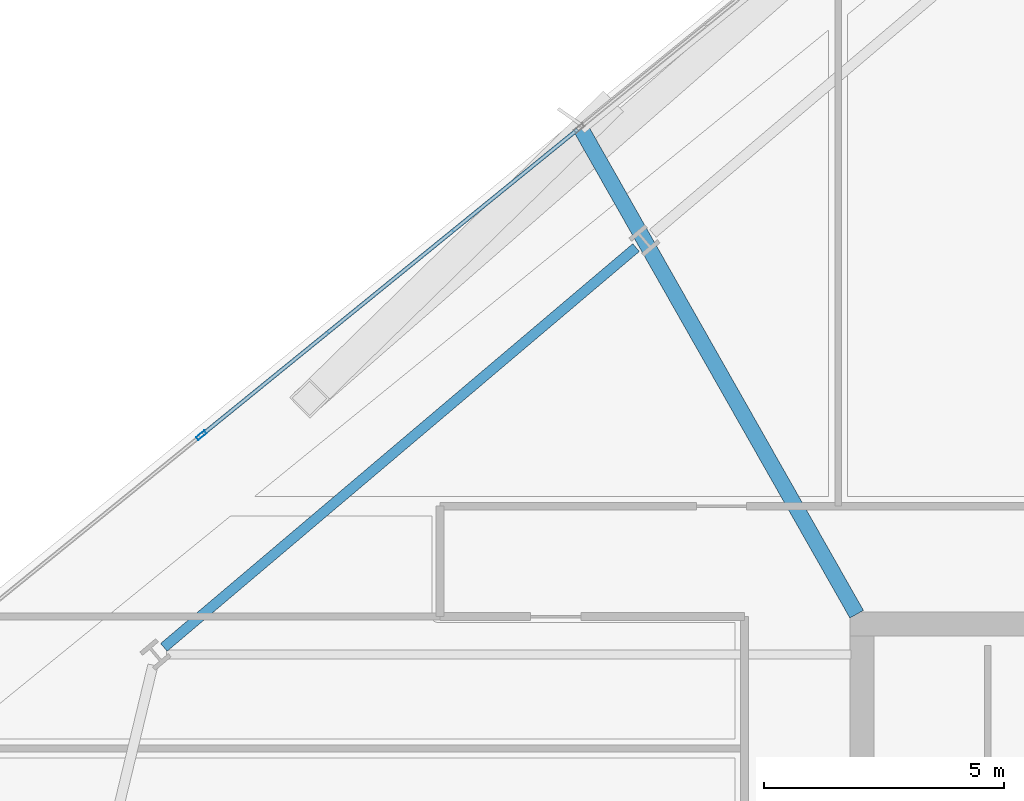
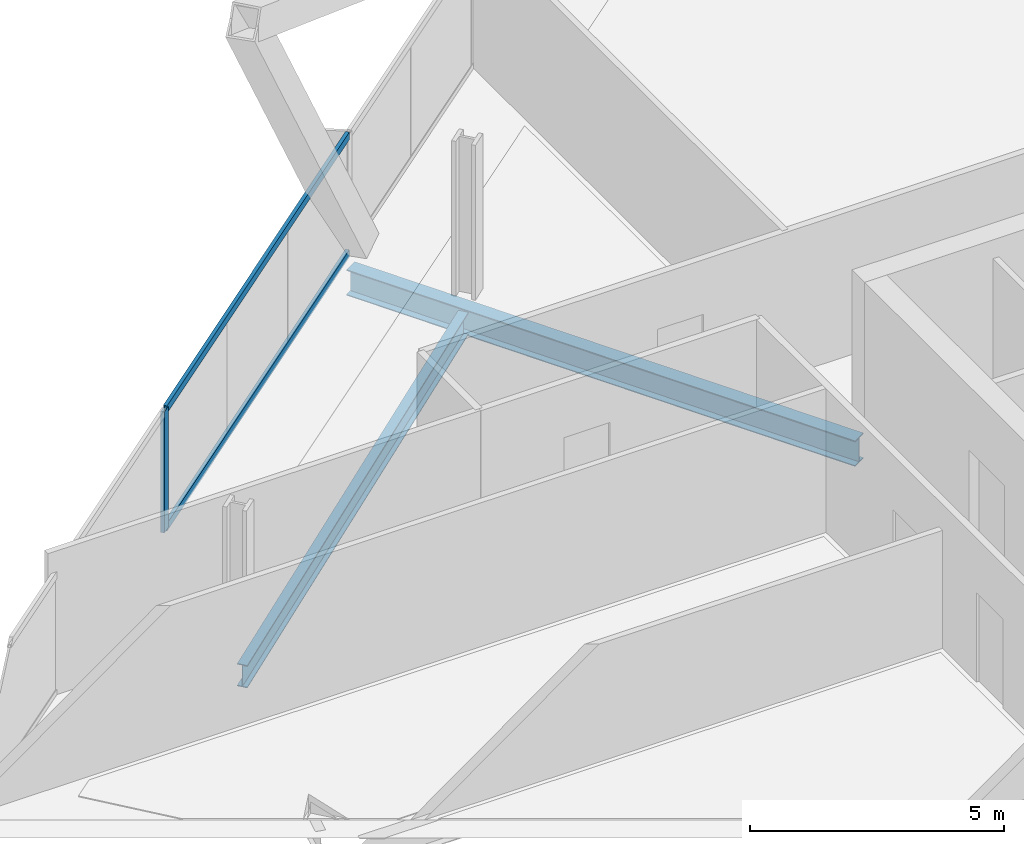
# One storey, part 15 of 36: 3 members, 2 beams, 1 element without a shape of its own.
"""IFC4 building model written with IfcOpenShell, lengths in metres."""

import ifcopenshell
import ifcopenshell.guid

model = None  # the IFC model being written
_history = None  # IfcOwnerHistory: only IFC2X3 demands one
_inside = {}  # id of a spatial element -> (the spatial element, [elements in it])
_under = {}  # id of a project, library or spatial element -> (it, [spatial elements below it])
_declared = {}  # id of a project -> (the project, [libraries it declares])
_typed = {}  # id of a type object -> (the type object, [elements of that type])
_made_of = {}  # id of a material, layer set ... -> (it, [elements and type objects made of it])


def new_model(schema):
    """Start an empty IFC model of exactly this schema.

    Asked for "IFC4X3", IfcOpenShell would pick the latest addendum, in which some entities
    have other attributes; the version numbers below select the first issue.
    IFC2X3 requires an IfcOwnerHistory on every rooted entity: one is made here for all.
    """
    global model, _history
    if schema == "IFC4X3":
        model = ifcopenshell.file(schema_version=(4, 3, 0, 0))
    else:
        model = ifcopenshell.file(schema=schema)
    _inside.clear()
    _under.clear()
    _declared.clear()
    _typed.clear()
    _made_of.clear()
    _history = None
    if model.schema == "IFC2X3":
        org = make("IfcOrganization", Name="unknown")
        user = make(
            "IfcPersonAndOrganization",
            ThePerson=make("IfcPerson", FamilyName="unknown"),
            TheOrganization=org,
        )
        app = make(
            "IfcApplication",
            ApplicationDeveloper=org,
            Version="unknown",
            ApplicationFullName="unknown",
            ApplicationIdentifier="unknown",
        )
        _history = make(
            "IfcOwnerHistory",
            OwningUser=user,
            OwningApplication=app,
            ChangeAction="ADDED",
            CreationDate=0,
        )
    return model


def make(cls, **values):
    """One entity of the class cls with the attributes given. An attribute that is None is left unset."""
    return model.create_entity(
        cls, **{name: value for name, value in values.items() if value is not None}
    )


def rooted(cls, **values):
    """An entity with a GlobalId (a new one), such as an element, a storey or a relation."""
    return make(cls, GlobalId=ifcopenshell.guid.new(), OwnerHistory=_history, **values)


def si_unit(unit_type, name, prefix=None):
    """IfcSIUnit, for example si_unit("LENGTHUNIT", "METRE", prefix="MILLI")."""
    return make("IfcSIUnit", UnitType=unit_type, Prefix=prefix, Name=name)


def assignment(units):
    """IfcUnitAssignment: the units of a project."""
    return None if units is None else make("IfcUnitAssignment", Units=units)


def point(xyz):
    """IfcCartesianPoint."""
    return None if xyz is None else make("IfcCartesianPoint", Coordinates=xyz)


def direction(xyz):
    """IfcDirection."""
    return None if xyz is None else make("IfcDirection", DirectionRatios=xyz)


def frame(location, z_axis=None, x_axis=None):
    """IfcAxis2Placement3D, a coordinate frame: its origin and axes. An axis left out is left unset."""
    return make(
        "IfcAxis2Placement3D",
        Location=point(location),
        Axis=direction(z_axis),
        RefDirection=direction(x_axis),
    )


def frame_2d(location, x_axis=None):
    """IfcAxis2Placement2D, a coordinate frame in the plane: its origin and x axis."""
    return make(
        "IfcAxis2Placement2D", Location=point(location), RefDirection=direction(x_axis)
    )


def origin():
    """The frame at (0, 0, 0) with its axes left unset."""
    return frame((0.0, 0.0, 0.0))


def origin_2d():
    """The frame at (0, 0) in the plane with its x axis left unset."""
    return frame_2d((0.0, 0.0))


def place(relative_to, where):
    """IfcLocalPlacement: puts the frame where relative to a parent placement (None: the world)."""
    return make(
        "IfcLocalPlacement", PlacementRelTo=relative_to, RelativePlacement=where
    )


def context(
    kind, dimensions, precision=None, world=None, true_north=None, identifier=None
):
    """IfcGeometricRepresentationContext, for example the 3D "Model" context."""
    return make(
        "IfcGeometricRepresentationContext",
        ContextIdentifier=identifier,
        ContextType=kind,
        CoordinateSpaceDimension=dimensions,
        Precision=precision,
        WorldCoordinateSystem=world,
        TrueNorth=true_north,
    )


def subcontext(parent, identifier, kind, view, scale=None):
    """IfcGeometricRepresentationSubContext, for example "Body" below "Model"."""
    return make(
        "IfcGeometricRepresentationSubContext",
        ContextIdentifier=identifier,
        ContextType=kind,
        ParentContext=parent,
        TargetScale=scale,
        TargetView=view,
    )


def project(units=None, contexts=None):
    """IfcProject with its units and contexts."""
    return rooted(
        "IfcProject",
        Name="project",
        RepresentationContexts=contexts,
        UnitsInContext=assignment(units),
    )


def spatial(cls, under=None, at=None, **own):
    """A site, building, storey or space (cls), placed at a placement, below another one or the project."""
    s = rooted(cls, ObjectPlacement=at, **own)
    if under is not None:
        _under.setdefault(under.id(), (under, []))[1].append(s)
    return s


def profile(cls, at=None, kind="AREA", **sizes):
    """A parametric profile (cls). Its sizes go by their IFC names, for example OverallWidth=200.0."""
    return make(cls, ProfileType=kind, Position=at, **sizes)


def hollow_rectangle(**sizes):
    """IfcRectangleHollowProfileDef."""
    return profile("IfcRectangleHollowProfileDef", **sizes)


def i_section(**sizes):
    """IfcIShapeProfileDef."""
    return profile("IfcIShapeProfileDef", **sizes)


def extrude(swept, where, along, depth):
    """IfcExtrudedAreaSolid: the profile swept, set in the frame where, extruded along a direction by depth."""
    return make(
        "IfcExtrudedAreaSolid",
        SweptArea=swept,
        Position=where,
        ExtrudedDirection=direction(along),
        Depth=depth,
    )


def shape(context_of_items, identifier, shape_type, items):
    """IfcShapeRepresentation: the items that make up one representation, for example the "Body"."""
    return make(
        "IfcShapeRepresentation",
        ContextOfItems=context_of_items,
        RepresentationIdentifier=identifier,
        RepresentationType=shape_type,
        Items=items,
    )


def material(Name=None, Category=None):
    """IfcMaterial."""
    return make("IfcMaterial", Name=Name, Category=Category)


def material_profile(
    of_material, cross_section, Name=None, Category=None, Priority=None
):
    """IfcMaterialProfile: a cross section and its material."""
    return make(
        "IfcMaterialProfile",
        Name=Name,
        Material=of_material,
        Profile=cross_section,
        Priority=Priority,
        Category=Category,
    )


def profile_set(profiles, Name=None, composite=None):
    """IfcMaterialProfileSet."""
    return make(
        "IfcMaterialProfileSet",
        Name=Name,
        MaterialProfiles=profiles,
        CompositeProfile=composite,
    )


def made_of(thing, what):
    """Note that an element or type object is made of a material, layer set ...; save() writes the relation."""
    if what is not None:
        _made_of.setdefault(what.id(), (what, []))[1].append(thing)
    return thing


def type_object(cls, material=None, **own):
    """A type object (cls), such as IfcWallType, which elements share."""
    return made_of(rooted(cls, **own), material)


def element(
    cls,
    number,
    at=None,
    inside=None,
    cuts=None,
    type_object=None,
    material=None,
    context=None,
    identifier="Body",
    shape_type=None,
    held_by="IfcProductDefinitionShape",
    body=None,
    shapes=None,
    **own,
):
    """One element of the class cls, such as IfcWall. Its Tag is "e" and its number.

    at: its placement. inside: the storey or other place that contains it. cuts: it is an
    opening in that element (IfcRelVoidsElement). A single representation is given by context,
    identifier, shape_type and body (its items); several are given by shapes. held_by: the class
    of the entity that holds the representations. save() writes the other relations.
    """
    e = rooted(cls, Tag="e%d" % number, ObjectPlacement=at, **own)
    if body is not None:
        shapes = [shape(context, identifier, shape_type, body)]
    if shapes is not None:
        e.Representation = make(held_by, Representations=shapes)
    if inside is not None:
        _inside.setdefault(inside.id(), (inside, []))[1].append(e)
    if cuts is not None:
        rooted(
            "IfcRelVoidsElement", RelatingBuildingElement=cuts, RelatedOpeningElement=e
        )
    if type_object is not None:
        _typed.setdefault(type_object.id(), (type_object, []))[1].append(e)
    return made_of(e, material)


def aggregate(whole, parts):
    """IfcRelAggregates: a whole, such as a stair, and the parts it consists of."""
    return rooted("IfcRelAggregates", RelatingObject=whole, RelatedObjects=parts)


def save(model, path):
    """Write the relations noted so far, then the file.

    IfcRelAggregates (storeys below a building ...), IfcRelContainedInSpatialStructure (elements
    in a storey), IfcRelDefinesByType, IfcRelAssociatesMaterial and IfcRelDeclares: one each for
    every whole, place, type object, material and project.
    """
    for whole, parts in _under.values():
        aggregate(whole, parts)
    for where, things in _inside.values():
        rooted(
            "IfcRelContainedInSpatialStructure",
            RelatedElements=things,
            RelatingStructure=where,
        )
    for kind, things in _typed.values():
        rooted("IfcRelDefinesByType", RelatedObjects=things, RelatingType=kind)
    for what, things in _made_of.values():
        rooted("IfcRelAssociatesMaterial", RelatedObjects=things, RelatingMaterial=what)
    for by, libraries in _declared.values():
        rooted("IfcRelDeclares", RelatingContext=by, RelatedDefinitions=libraries)
    model.write(path)


model = new_model("IFC4")

# Units and contexts
model_context = context("Model", 3, precision=1e-05, world=origin(), true_north=direction((0.0, 1.0)))
body_context = subcontext(model_context, "Body", "Model", "MODEL_VIEW")
ifc_project = project(units=[si_unit("LENGTHUNIT", "METRE"), si_unit("AREAUNIT", "SQUARE_METRE"), si_unit("VOLUMEUNIT", "CUBIC_METRE"), si_unit("PLANEANGLEUNIT", "RADIAN"), si_unit("MASSUNIT", "GRAM", prefix="KILO")], contexts=[model_context])

# Site, building, storey
site_placement = place(None, origin())
site = spatial("IfcSite", under=ifc_project, at=site_placement, CompositionType="ELEMENT")
building_placement = place(site_placement, origin())
building = spatial("IfcBuilding", under=site, at=building_placement, Name="Haldenkirk Collegiate Tower", CompositionType="ELEMENT")
storey_placement = place(building_placement, frame((0.0, 0.0, 159.449951171875)))
storey = spatial("IfcBuildingStorey", under=building, at=storey_placement, Name="L39", CompositionType="ELEMENT", Elevation=159.449951171875)

# Beams
ifc_material_1 = material(Name="Steel ASTM A992 Grade 50", Category="steel")
ifc_material_profile_1 = material_profile(ifc_material_1, i_section(OverallWidth=0.324951171875, OverallDepth=0.615966796875, WebThickness=0.013916015625, FlangeThickness=0.021484375, at=origin_2d()), Name="W24X117")
ifc_profile_set_1 = profile_set([ifc_material_profile_1], Name="Steel ASTM A992 Grade 50")
beam_type_1 = type_object("IfcBeamType", Name="BM-GIRDER-W24X117", PredefinedType="BEAM", material=ifc_profile_set_1)
beam_1_placement = place(storey_placement, frame((21.14501953125, 44.3125, -0.597900390625), z_axis=(0.493729115608, -0.869615754458, 0.0), x_axis=(0.869615754458, 0.493729115608, 0.0)))
element("IfcBeam", 1, at=beam_1_placement, inside=storey, type_object=beam_type_1, Name="L39 primary floor girder 12", PredefinedType="BEAM", context=body_context, shape_type="SweptSolid", body=[
    extrude(i_section(OverallWidth=0.324951171875, OverallDepth=0.615966796875, WebThickness=0.013916015625, FlangeThickness=0.021484375, at=origin_2d()), origin(), (0.0, 0.0, 1.0), 11.628662109375),
])
ifc_material_profile_2 = material_profile(ifc_material_1, i_section(OverallWidth=0.2119140625, OverallDepth=0.5439453125, WebThickness=0.01318359375, FlangeThickness=0.021240234375, at=origin_2d()), Name="W21X83")
ifc_profile_set_2 = profile_set([ifc_material_profile_2], Name="Steel ASTM A992 Grade 50")
beam_type_2 = type_object("IfcBeamType", Name="BM-SPANDREL-W21X83", PredefinedType="SPANDREL", material=ifc_profile_set_2)
beam_2_placement = place(storey_placement, frame((22.288818359375, 41.841796875, -0.56201171875), z_axis=(-0.76322543275, -0.64613229203, 0.0), x_axis=(0.64613229203, -0.76322543275, 0.0)))
element("IfcBeam", 2, at=beam_2_placement, inside=storey, type_object=beam_type_2, Name="L39 perimeter spandrel beam 11", PredefinedType="SPANDREL", context=body_context, shape_type="SweptSolid", body=[
    extrude(i_section(OverallWidth=0.2119140625, OverallDepth=0.5439453125, WebThickness=0.01318359375, FlangeThickness=0.021240234375, at=origin_2d()), origin(), (0.0, 0.0, 1.0), 12.89794921875),
])

# Curtain wall, members
ifc_material_2 = material(Name="Anodised architectural bronze aluminium", Category="aluminium")
curtain_wall_type = type_object("IfcCurtainWallType", Name="CW-SYS1-CONVEX-LOW", PredefinedType="USERDEFINED", material=ifc_material_2)
curtain_wall_placement = place(storey_placement, origin())
curtain_wall = element("IfcCurtainWall", 3, at=curtain_wall_placement, inside=storey, type_object=curtain_wall_type, Name="L39 Lower tower convex bronze-framed unitised curtain wall", ObjectType="UNITISED CURTAIN WALL", PredefinedType="USERDEFINED")
ifc_material_profile_3 = material_profile(ifc_material_2, hollow_rectangle(XDim=0.080078125, YDim=0.219970703125, WallThickness=0.0048828125, at=origin_2d()), Name="CW-MUL-1A")
ifc_profile_set_3 = profile_set([ifc_material_profile_3], Name="Anodised architectural bronze aluminium")
member_type_1 = type_object("IfcMemberType", Name="CW-MUL-1A", PredefinedType="MULLION", material=ifc_profile_set_3)
member_1_placement = place(storey_placement, frame((13.2265625, 37.928955078125, 0.0), z_axis=(0.0, 0.0, 1.0), x_axis=(-0.630673850131, 0.776047997717, 0.0)))
member_1 = element("IfcMember", 4, at=member_1_placement, type_object=member_type_1, Name="CW-1A mullion 2", PredefinedType="MULLION", context=body_context, shape_type="SweptSolid", body=[
    extrude(hollow_rectangle(XDim=0.080078125, YDim=0.219970703125, WallThickness=0.0048828125, at=origin_2d()), origin(), (0.0, 0.0, 1.0), 2.9111328125),
])
ifc_material_profile_4 = material_profile(ifc_material_2, hollow_rectangle(XDim=0.080078125, YDim=0.179931640625, WallThickness=0.0048828125, at=origin_2d()), Name="CW-TRN-1A")
ifc_profile_set_4 = profile_set([ifc_material_profile_4], Name="Anodised architectural bronze aluminium")
member_type_2 = type_object("IfcMemberType", Name="CW-TRN-1A", PredefinedType="USERDEFINED", material=ifc_profile_set_4)
member_2_placement = place(storey_placement, frame((13.257568359375, 37.9541015625, 0.0400390625), z_axis=(0.776046510018, 0.630675680749, 0.0), x_axis=(-0.630675680749, 0.776046510018, 0.0)))
member_2 = element("IfcMember", 5, at=member_2_placement, type_object=member_type_2, Name="CW-1A transom 2.1", ObjectType="TRANSOM", PredefinedType="USERDEFINED", context=body_context, shape_type="SweptSolid", body=[
    extrude(hollow_rectangle(XDim=0.080078125, YDim=0.179931640625, WallThickness=0.0048828125, at=origin_2d()), origin(), (0.0, 0.0, 1.0), 10.06982421875),
])
member_3_placement = place(storey_placement, frame((13.257568359375, 37.9541015625, 2.87109375), z_axis=(0.776046510018, 0.630675680749, 0.0), x_axis=(-0.630675680749, 0.776046510018, 0.0)))
member_3 = element("IfcMember", 6, at=member_3_placement, type_object=member_type_2, Name="CW-1A transom 2.2", ObjectType="TRANSOM", PredefinedType="USERDEFINED", context=body_context, shape_type="SweptSolid", body=[
    extrude(hollow_rectangle(XDim=0.080078125, YDim=0.179931640625, WallThickness=0.0048828125, at=origin_2d()), origin(), (0.0, 0.0, 1.0), 10.06982421875),
])
aggregate(curtain_wall, [member_1, member_2, member_3])

save(model, "model.ifc")
